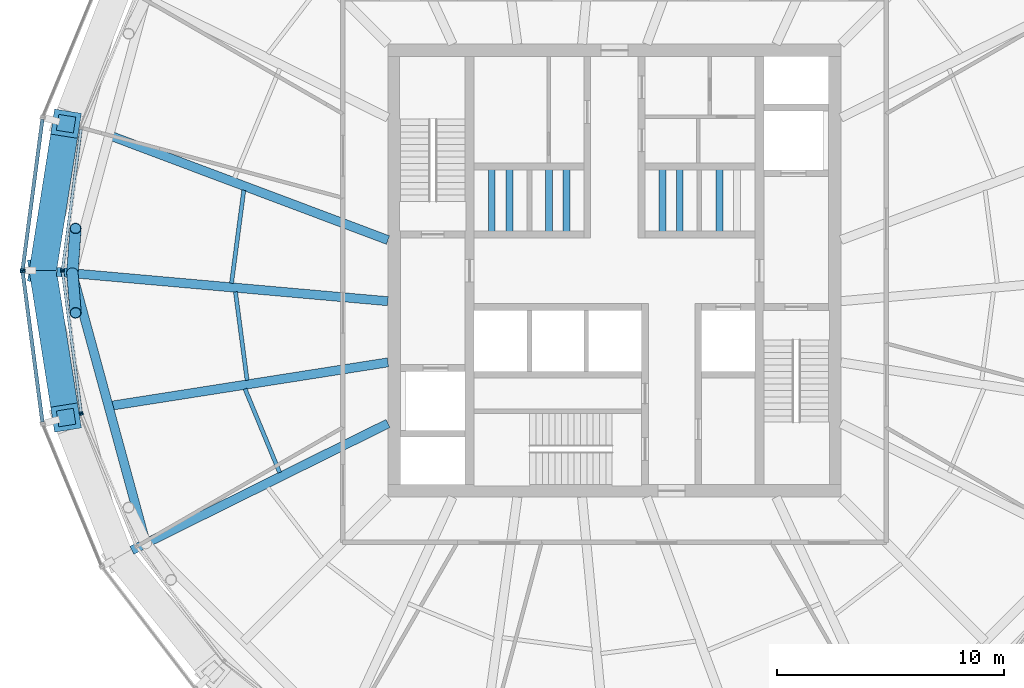
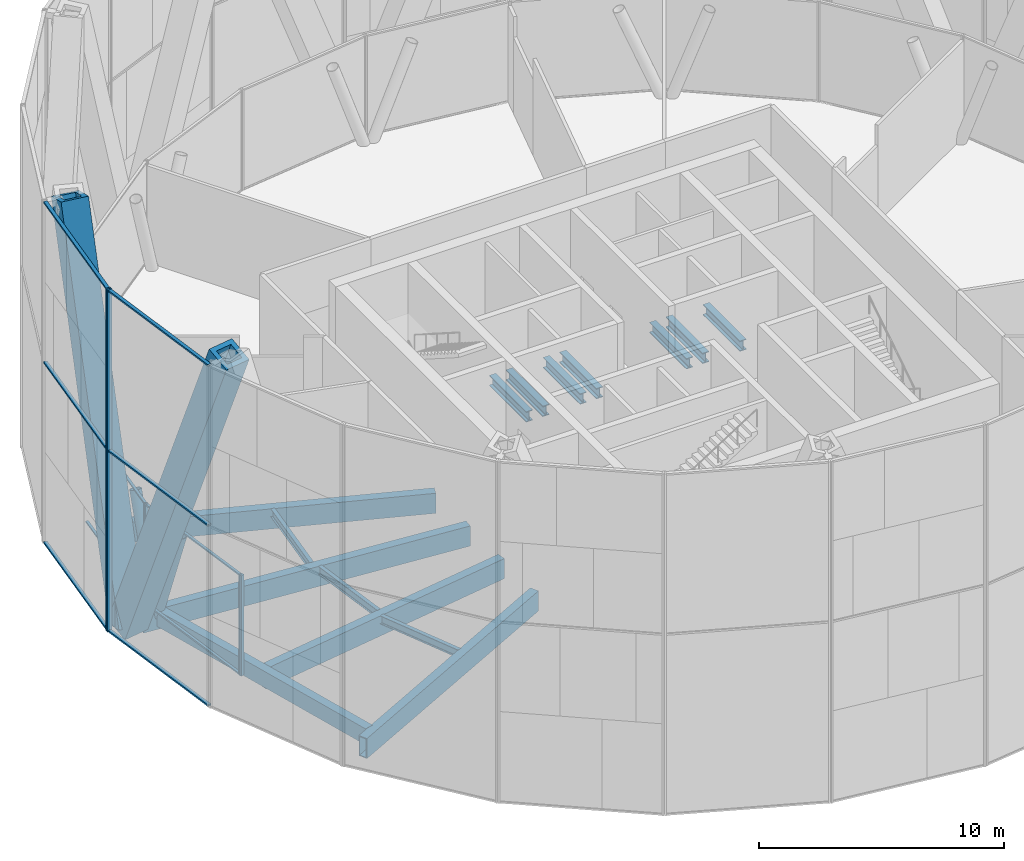
# One storey, part 3 of 17: 20 members, 15 beams, 5 elements without a shape of their own.
"""IFC4 building model written with IfcOpenShell, lengths in metres."""

from ifc_helpers import new_model, si_unit, direction, frame, origin, origin_2d, place, context, subcontext, project, spatial, rectangle, hollow_rectangle, hollow_circle, i_section, extrude, material, material_profile, profile_set, type_object, element, aggregate, save


model = new_model("IFC4")

# Units and contexts
model_context = context("Model", 3, precision=1e-05, world=origin(), true_north=direction((0.0, 1.0)))
body_context = subcontext(model_context, "Body", "Model", "MODEL_VIEW")
ifc_project = project(units=[si_unit("LENGTHUNIT", "METRE"), si_unit("AREAUNIT", "SQUARE_METRE"), si_unit("VOLUMEUNIT", "CUBIC_METRE"), si_unit("PLANEANGLEUNIT", "RADIAN"), si_unit("MASSUNIT", "GRAM", prefix="KILO")], contexts=[model_context])

# Site, building, storey
site_placement = place(None, origin())
site = spatial("IfcSite", under=ifc_project, at=site_placement, CompositionType="ELEMENT")
building_placement = place(site_placement, origin())
building = spatial("IfcBuilding", under=site, at=building_placement, Name="Golbaran Civic Tower", CompositionType="ELEMENT")
storey_placement = place(building_placement, frame((0.0, 0.0, 150.0)))
storey = spatial("IfcBuildingStorey", under=building, at=storey_placement, Name="L36", CompositionType="ELEMENT", Elevation=150.0)

# Members
ifc_material_1 = material(Name="Steel S355", Category="steel")
ifc_material_profile_1 = material_profile(ifc_material_1, hollow_circle(Radius=0.25390625, WallThickness=0.02490234375, at=origin_2d()), Name="CHS 508.0x25")
ifc_profile_set_1 = profile_set([ifc_material_profile_1], Name="Steel S355")
member_type_1 = type_object("IfcMemberType", Name="BELT TRUSS DIAGONAL CHS 508.0x25", PredefinedType="BRACE", material=ifc_profile_set_1)
member_1_placement = place(storey_placement, frame((-23.93115234375, -0.115478515625, -0.60009765625), z_axis=(0.026444993498, -0.330193847384, 0.943542625147), x_axis=(0.996808198845, 0.079833669058, 0.0)))
element("IfcMember", 1, at=member_1_placement, inside=storey, type_object=member_type_1, Name="Belt truss diagonal 180.00R L36", PredefinedType="BRACE", context=body_context, shape_type="SweptSolid", body=[
    extrude(hollow_circle(Radius=0.25390625, WallThickness=0.02490234375, at=origin_2d()), origin(), (0.0, 0.0, 1.0), 5.299072265625),
])
member_2_placement = place(storey_placement, frame((-23.93115234375, -0.115478515625, -0.60009765625), z_axis=(0.026048409373, 0.36817203004, 0.929392724668), x_axis=(-0.997506530157, 0.070574232505, 0.0)))
element("IfcMember", 2, at=member_2_placement, inside=storey, type_object=member_type_1, Name="Belt truss diagonal 180.00L L36", PredefinedType="BRACE", context=body_context, shape_type="SweptSolid", body=[
    extrude(hollow_circle(Radius=0.25390625, WallThickness=0.02490234375, at=origin_2d()), origin(), (0.0, 0.0, 1.0), 5.3798828125),
])
ifc_material_profile_2 = material_profile(ifc_material_1, hollow_rectangle(XDim=1.199951171875, YDim=1.199951171875, WallThickness=0.219970703125, at=origin_2d()), Name="BOX 1200x1200x220")
ifc_profile_set_2 = profile_set([ifc_material_profile_2], Name="Steel S355")
member_type_2 = type_object("IfcMemberType", Name="DIAGRID DIAGONAL BOX 1200x1200x220", PredefinedType="BRACE", material=ifc_profile_set_2)
for number, where, z_axis, x_axis, name in (
    (3, (-25.23388671875, 0.0, -0.7099609375), (0.056237881046, -0.35594104321, 0.932814705337), (0.987747286438, 0.15606184074, 0.0), "Diagonal D08-06R L36-L40"),
    (4, (-25.23388671875, 0.0, -0.7099609375), (0.056237881046, 0.35594104321, 0.932814705337), (-0.987747286438, 0.15606184074, 0.0), "Diagonal D08-06L L36-L40"),
):
    element("IfcMember", number, at=place(storey_placement, frame(where, z_axis=z_axis, x_axis=x_axis)), inside=storey, type_object=member_type_2, Name=name, PredefinedType="BRACE", context=body_context, shape_type="SweptSolid", body=[
        extrude(hollow_rectangle(XDim=1.199951171875, YDim=1.199951171875, WallThickness=0.219970703125, at=origin_2d()), origin(), (0.0, 0.0, 1.0), 18.224365234375),
    ])

# Beams
ifc_material_profile_3 = material_profile(ifc_material_1, hollow_rectangle(XDim=0.39990234375, YDim=0.800048828125, WallThickness=0.0400390625, at=origin_2d()), Name="BOX 800x400x40")
ifc_profile_set_3 = profile_set([ifc_material_profile_3], Name="Steel S355")
beam_type_1 = type_object("IfcBeamType", Name="EDGE BEAM BOX 800x400x40", PredefinedType="BEAM", material=ifc_profile_set_3)
beam_1_placement = place(storey_placement, frame((-23.880859375, -0.300537109375, -0.60009765625), z_axis=(0.262829466132, -0.964842304075, 0.0), x_axis=(0.964842304075, 0.262829466132, 0.0)))
element("IfcBeam", 5, at=beam_1_placement, inside=storey, type_object=beam_type_1, Name="Edge beam 180.00 L36", PredefinedType="BEAM", context=body_context, shape_type="SweptSolid", body=[
    extrude(hollow_rectangle(XDim=0.39990234375, YDim=0.800048828125, WallThickness=0.0400390625, at=origin_2d()), origin(), (0.0, 0.0, 1.0), 11.981689453125),
])
ifc_material_profile_4 = material_profile(ifc_material_1, i_section(OverallWidth=0.179931640625, OverallDepth=0.39990234375, WebThickness=0.008544921875, FlangeThickness=0.013427734375, FilletRadius=0.02099609375, at=origin_2d()), Name="IPE 400")
ifc_profile_set_4 = profile_set([ifc_material_profile_4], Name="Steel S355")
beam_type_2 = type_object("IfcBeamType", Name="FLOOR INFILL BEAM IPE 400", PredefinedType="BEAM", material=ifc_profile_set_4)
beam_2_placement = place(storey_placement, frame((-16.36328125, 3.55029296875, -0.39990234375), z_axis=(-0.130581028899, -0.991437640445, 0.0), x_axis=(0.991437640445, -0.130581028899, 0.0)))
element("IfcBeam", 6, at=beam_2_placement, inside=storey, type_object=beam_type_2, Name="Infill beam 172.50 L36", PredefinedType="BEAM", context=body_context, shape_type="SweptSolid", body=[
    extrude(i_section(OverallWidth=0.179931640625, OverallDepth=0.39990234375, WebThickness=0.008544921875, FlangeThickness=0.013427734375, FilletRadius=0.02099609375, at=origin_2d()), origin(), (0.0, 0.0, 1.0), 4.14306640625),
])
beam_3_placement = place(storey_placement, frame((-16.730712890625, -0.934326171875, -0.39990234375), z_axis=(0.13055704672, -0.991440798813, 0.0), x_axis=(0.991440798813, 0.13055704672, 0.0)))
element("IfcBeam", 7, at=beam_3_placement, inside=storey, type_object=beam_type_2, Name="Infill beam 187.50 L36", PredefinedType="BEAM", context=body_context, shape_type="SweptSolid", body=[
    extrude(i_section(OverallWidth=0.179931640625, OverallDepth=0.39990234375, WebThickness=0.008544921875, FlangeThickness=0.013427734375, FilletRadius=0.02099609375, at=origin_2d()), origin(), (0.0, 0.0, 1.0), 3.94189453125),
])
beam_4_placement = place(storey_placement, frame((-16.308837890625, -5.221435546875, -0.39990234375), z_axis=(0.382693412295, -0.923875398626, 0.0), x_axis=(0.923875398626, 0.382693412295, 0.0)))
element("IfcBeam", 8, at=beam_4_placement, inside=storey, type_object=beam_type_2, Name="Infill beam 202.50 L36", PredefinedType="BEAM", context=body_context, shape_type="SweptSolid", body=[
    extrude(i_section(OverallWidth=0.179931640625, OverallDepth=0.39990234375, WebThickness=0.008544921875, FlangeThickness=0.013427734375, FilletRadius=0.02099609375, at=origin_2d()), origin(), (0.0, 0.0, 1.0), 3.997314453125),
])
ifc_material_profile_5 = material_profile(ifc_material_1, i_section(OverallWidth=0.305908203125, OverallDepth=0.52392578125, WebThickness=0.02099609375, FlangeThickness=0.0400390625, FilletRadius=0.027099609375, at=origin_2d()), Name="HEM 500")
ifc_profile_set_5 = profile_set([ifc_material_profile_5], Name="Steel S355")
beam_type_3 = type_object("IfcBeamType", Name="LIFT PIT BEAM HEM 500", PredefinedType="BEAM", material=ifc_profile_set_5)
for number, where, z_axis, x_axis, name in (
    (9, (-5.416748046875, 1.60009765625, 1.738037109375), (0.0, 1.0, 0.0), (-1.0, 0.0, 0.0), "Lift pit beam Z1H 1"),
    (10, (-4.63330078125, 1.60009765625, 1.738037109375), (0.0, 1.0, 0.0), (-1.0, 0.0, 0.0), "Lift pit beam Z1H 2"),
    (11, (-2.88330078125, 1.60009765625, 1.738037109375), (0.0, 1.0, 0.0), (-1.0, 0.0, 0.0), "Lift pit beam Z2H 1"),
    (12, (-2.11669921875, 1.60009765625, 1.738037109375), (0.0, 1.0, 0.0), (-1.0, 0.0, 0.0), "Lift pit beam Z2H 2"),
    (13, (2.11669921875, 1.60009765625, 1.738037109375), (0.0, 1.0, 0.0), (-1.0, 0.0, 0.0), "Lift pit beam Z3H 1"),
    (14, (2.88330078125, 1.60009765625, 1.738037109375), (0.0, 1.0, 0.0), (-1.0, 0.0, 0.0), "Lift pit beam Z3H 2"),
    (15, (4.63330078125, 1.60009765625, 1.738037109375), (0.0, 1.0, 0.0), (-1.0, 0.0, 0.0), "Lift pit beam Z4H 1"),
):
    element("IfcBeam", number, at=place(storey_placement, frame(where, z_axis=z_axis, x_axis=x_axis)), inside=storey, type_object=beam_type_3, Name=name, PredefinedType="BEAM", context=body_context, shape_type="SweptSolid", body=[
        extrude(i_section(OverallWidth=0.305908203125, OverallDepth=0.52392578125, WebThickness=0.02099609375, FlangeThickness=0.0400390625, FilletRadius=0.027099609375, at=origin_2d()), origin(), (0.0, 0.0, 1.0), 3.0),
    ])

# Curtain wall, member
ifc_material_2 = material(Name="Aluminium and glass", Category="aluminium")
curtain_wall_type_1 = type_object("IfcCurtainWallType", Name="OUTER SKIN TERRACOTTA SCREEN", PredefinedType="NOTDEFINED", material=ifc_material_2)
curtain_wall_1_placement = place(storey_placement, origin())
curtain_wall_1 = element("IfcCurtainWall", 16, at=curtain_wall_1_placement, inside=storey, type_object=curtain_wall_type_1, Name="Outer skin L36 facet 12 CW3", ObjectType="OUTER SKIN", PredefinedType="USERDEFINED")
ifc_material_3 = material(Name="Aluminium", Category="aluminium")
ifc_material_profile_6 = material_profile(ifc_material_3, rectangle(XDim=0.219970703125, YDim=0.080078125, at=origin_2d()), Name="OUTER SKIN TERRACOTTA SCREEN MULLION")
ifc_profile_set_6 = profile_set([ifc_material_profile_6], Name="Aluminium")
member_type_3 = type_object("IfcMemberType", Name="OUTER SKIN TERRACOTTA SCREEN MULLION", PredefinedType="MULLION", material=ifc_profile_set_6)
member_3_placement = place(storey_placement, frame((-26.128662109375, 0.03955078125, -0.7099609375), z_axis=(0.0, 0.0, 1.0), x_axis=(0.991444861369, -0.130526192255, 0.0)))
member_3 = element("IfcMember", 17, at=member_3_placement, type_object=member_type_3, Name="CW3 mullion 2", PredefinedType="MULLION", context=body_context, shape_type="SweptSolid", body=[
    extrude(rectangle(XDim=0.219970703125, YDim=0.080078125, at=origin_2d()), origin(), (0.0, 0.0, 1.0), 17.0),
])

curtain_wall_2_placement = place(storey_placement, origin())
curtain_wall_2 = element("IfcCurtainWall", 18, at=curtain_wall_2_placement, inside=storey, type_object=curtain_wall_type_1, Name="Outer skin L36 facet 13 CW3", ObjectType="OUTER SKIN", PredefinedType="USERDEFINED")
member_4_placement = place(storey_placement, frame((-26.128662109375, -0.03955078125, -0.7099609375), z_axis=(0.0, 0.0, 1.0), x_axis=(0.991444861369, 0.130526192255, 0.0)))
member_4 = element("IfcMember", 19, at=member_4_placement, type_object=member_type_3, Name="CW3 mullion 1", PredefinedType="MULLION", context=body_context, shape_type="SweptSolid", body=[
    extrude(rectangle(XDim=0.219970703125, YDim=0.080078125, at=origin_2d()), origin(), (0.0, 0.0, 1.0), 17.0),
])

# Member
ifc_material_profile_7 = material_profile(ifc_material_3, rectangle(XDim=0.159912109375, YDim=0.080078125, at=origin_2d()), Name="OUTER SKIN TERRACOTTA SCREEN TRANSOM")
ifc_profile_set_7 = profile_set([ifc_material_profile_7], Name="Aluminium")
member_type_4 = type_object("IfcMemberType", Name="OUTER SKIN TERRACOTTA SCREEN TRANSOM", PredefinedType="USERDEFINED", material=ifc_profile_set_7)
member_5_placement = place(storey_placement, frame((-25.25390625, 6.6845703125, -0.669921875), z_axis=(-0.130531295618, -0.991444189485, 0.0), x_axis=(0.991444189485, -0.130531295618, 0.0)))
member_5 = element("IfcMember", 20, at=member_5_placement, type_object=member_type_4, Name="CW3 transom 1.1", ObjectType="TRANSOM", PredefinedType="USERDEFINED", context=body_context, shape_type="SweptSolid", body=[
    extrude(rectangle(XDim=0.159912109375, YDim=0.080078125, at=origin_2d()), origin(), (0.0, 0.0, 1.0), 6.662109375),
])

member_6_placement = place(storey_placement, frame((-25.25390625, 6.6845703125, 8.2900390625), z_axis=(-0.130531295618, -0.991444189485, 0.0), x_axis=(0.991444189485, -0.130531295618, 0.0)))
member_6 = element("IfcMember", 21, at=member_6_placement, type_object=member_type_4, Name="CW3 transom 1.2", ObjectType="TRANSOM", PredefinedType="USERDEFINED", context=body_context, shape_type="SweptSolid", body=[
    extrude(rectangle(XDim=0.159912109375, YDim=0.080078125, at=origin_2d()), origin(), (0.0, 0.0, 1.0), 6.662109375),
])

member_7_placement = place(storey_placement, frame((-25.25390625, 6.6845703125, 16.25), z_axis=(-0.130531295618, -0.991444189485, 0.0), x_axis=(0.991444189485, -0.130531295618, 0.0)))
member_7 = element("IfcMember", 22, at=member_7_placement, type_object=member_type_4, Name="CW3 transom 1.3", ObjectType="TRANSOM", PredefinedType="USERDEFINED", context=body_context, shape_type="SweptSolid", body=[
    extrude(rectangle(XDim=0.159912109375, YDim=0.080078125, at=origin_2d()), origin(), (0.0, 0.0, 1.0), 6.662109375),
])

aggregate(curtain_wall_1, [member_3, member_5, member_6, member_7])

member_8_placement = place(storey_placement, frame((-26.12353515625, -0.079345703125, -0.669921875), z_axis=(0.130531295618, -0.991444189485, 0.0), x_axis=(0.991444189485, 0.130531295618, 0.0)))
member_8 = element("IfcMember", 23, at=member_8_placement, type_object=member_type_4, Name="CW3 transom 1.1", ObjectType="TRANSOM", PredefinedType="USERDEFINED", context=body_context, shape_type="SweptSolid", body=[
    extrude(rectangle(XDim=0.159912109375, YDim=0.080078125, at=origin_2d()), origin(), (0.0, 0.0, 1.0), 6.662109375),
])

member_9_placement = place(storey_placement, frame((-26.12353515625, -0.079345703125, 8.2900390625), z_axis=(0.130531295618, -0.991444189485, 0.0), x_axis=(0.991444189485, 0.130531295618, 0.0)))
member_9 = element("IfcMember", 24, at=member_9_placement, type_object=member_type_4, Name="CW3 transom 1.2", ObjectType="TRANSOM", PredefinedType="USERDEFINED", context=body_context, shape_type="SweptSolid", body=[
    extrude(rectangle(XDim=0.159912109375, YDim=0.080078125, at=origin_2d()), origin(), (0.0, 0.0, 1.0), 6.662109375),
])

member_10_placement = place(storey_placement, frame((-26.12353515625, -0.079345703125, 16.25), z_axis=(0.130531295618, -0.991444189485, 0.0), x_axis=(0.991444189485, 0.130531295618, 0.0)))
member_10 = element("IfcMember", 25, at=member_10_placement, type_object=member_type_4, Name="CW3 transom 1.3", ObjectType="TRANSOM", PredefinedType="USERDEFINED", context=body_context, shape_type="SweptSolid", body=[
    extrude(rectangle(XDim=0.159912109375, YDim=0.080078125, at=origin_2d()), origin(), (0.0, 0.0, 1.0), 6.662109375),
])

aggregate(curtain_wall_2, [member_4, member_8, member_9, member_10])

# Curtain wall, member
curtain_wall_type_2 = type_object("IfcCurtainWallType", Name="PLANT FLOOR LOUVRE WALL", PredefinedType="NOTDEFINED", material=ifc_material_2)
curtain_wall_3_placement = place(storey_placement, origin())
curtain_wall_3 = element("IfcCurtainWall", 26, at=curtain_wall_3_placement, inside=storey, type_object=curtain_wall_type_2, Name="Inner skin L36 facet 12 CW6", ObjectType="PLANT LOUVRE WALL", PredefinedType="USERDEFINED")
ifc_material_profile_8 = material_profile(ifc_material_3, rectangle(XDim=0.159912109375, YDim=0.070068359375, at=origin_2d()), Name="PLANT FLOOR LOUVRE WALL MULLION")
ifc_profile_set_8 = profile_set([ifc_material_profile_8], Name="Aluminium")
member_type_5 = type_object("IfcMemberType", Name="PLANT FLOOR LOUVRE WALL MULLION", PredefinedType="MULLION", material=ifc_profile_set_8)
member_11_placement = place(storey_placement, frame((-24.365478515625, 0.03466796875, 0.0), z_axis=(0.0, 0.0, 1.0), x_axis=(0.991444861381, -0.130526192168, 0.0)))
member_11 = element("IfcMember", 27, at=member_11_placement, type_object=member_type_5, Name="CW6 mullion 2", PredefinedType="MULLION", context=body_context, shape_type="SweptSolid", body=[
    extrude(rectangle(XDim=0.159912109375, YDim=0.070068359375, at=origin_2d()), origin(), (0.0, 0.0, 1.0), 5.0),
])

# Curtain wall, members
curtain_wall_4_placement = place(storey_placement, origin())
curtain_wall_4 = element("IfcCurtainWall", 28, at=curtain_wall_4_placement, inside=storey, type_object=curtain_wall_type_2, Name="Inner skin L36 facet 13 CW6", ObjectType="PLANT LOUVRE WALL", PredefinedType="USERDEFINED")
member_12_placement = place(storey_placement, frame((-24.365478515625, -0.03466796875, 0.0), z_axis=(0.0, 0.0, 1.0), x_axis=(0.991444861381, 0.130526192168, 0.0)))
member_12 = element("IfcMember", 29, at=member_12_placement, type_object=member_type_5, Name="CW6 mullion 1", PredefinedType="MULLION", context=body_context, shape_type="SweptSolid", body=[
    extrude(rectangle(XDim=0.159912109375, YDim=0.070068359375, at=origin_2d()), origin(), (0.0, 0.0, 1.0), 5.0),
])
member_13_placement = place(storey_placement, frame((-23.544189453125, -6.272705078125, 0.0), z_axis=(0.0, 0.0, 1.0), x_axis=(0.991444861381, 0.130526192168, 0.0)))
member_13 = element("IfcMember", 30, at=member_13_placement, type_object=member_type_5, Name="CW6 mullion 2", PredefinedType="MULLION", context=body_context, shape_type="SweptSolid", body=[
    extrude(rectangle(XDim=0.159912109375, YDim=0.070068359375, at=origin_2d()), origin(), (0.0, 0.0, 1.0), 5.0),
])

# Curtain wall, member
curtain_wall_5_placement = place(storey_placement, origin())
curtain_wall_5 = element("IfcCurtainWall", 31, at=curtain_wall_5_placement, inside=storey, type_object=curtain_wall_type_2, Name="Inner skin L36 facet 14 CW6", ObjectType="PLANT LOUVRE WALL", PredefinedType="USERDEFINED")
member_14_placement = place(storey_placement, frame((-23.526123046875, -6.33984375, 0.0), z_axis=(0.0, 0.0, 1.0), x_axis=(0.923879532485, 0.38268343243, 0.0)))
member_14 = element("IfcMember", 32, at=member_14_placement, type_object=member_type_5, Name="CW6 mullion 1", PredefinedType="MULLION", context=body_context, shape_type="SweptSolid", body=[
    extrude(rectangle(XDim=0.159912109375, YDim=0.070068359375, at=origin_2d()), origin(), (0.0, 0.0, 1.0), 5.0),
])
aggregate(curtain_wall_5, [member_14])

# Member
ifc_material_profile_9 = material_profile(ifc_material_3, rectangle(XDim=0.1201171875, YDim=0.070068359375, at=origin_2d()), Name="PLANT FLOOR LOUVRE WALL TRANSOM")
ifc_profile_set_9 = profile_set([ifc_material_profile_9], Name="Aluminium")
member_type_6 = type_object("IfcMemberType", Name="PLANT FLOOR LOUVRE WALL TRANSOM", PredefinedType="USERDEFINED", material=ifc_profile_set_9)
member_15_placement = place(storey_placement, frame((-23.548828125, 6.238037109375, 0.034912109375), z_axis=(-0.130508308826, -0.991447215603, 0.0), x_axis=(0.991447215603, -0.130508308826, 0.0)))
member_15 = element("IfcMember", 33, at=member_15_placement, type_object=member_type_6, Name="CW6 transom 1.1", ObjectType="TRANSOM", PredefinedType="USERDEFINED", context=body_context, shape_type="SweptSolid", body=[
    extrude(rectangle(XDim=0.1201171875, YDim=0.070068359375, at=origin_2d()), origin(), (0.0, 0.0, 1.0), 6.221923828125),
])

member_16_placement = place(storey_placement, frame((-23.548828125, 6.238037109375, 4.965087890625), z_axis=(-0.130508308826, -0.991447215603, 0.0), x_axis=(0.991447215603, -0.130508308826, 0.0)))
member_16 = element("IfcMember", 34, at=member_16_placement, type_object=member_type_6, Name="CW6 transom 1.2", ObjectType="TRANSOM", PredefinedType="USERDEFINED", context=body_context, shape_type="SweptSolid", body=[
    extrude(rectangle(XDim=0.1201171875, YDim=0.070068359375, at=origin_2d()), origin(), (0.0, 0.0, 1.0), 6.221923828125),
])

aggregate(curtain_wall_3, [member_11, member_15, member_16])

member_17_placement = place(storey_placement, frame((-24.36083984375, -0.0693359375, 0.034912109375), z_axis=(0.130508308826, -0.991447215603, 0.0), x_axis=(0.991447215603, 0.130508308826, 0.0)))
member_17 = element("IfcMember", 35, at=member_17_placement, type_object=member_type_6, Name="CW6 transom 1.1", ObjectType="TRANSOM", PredefinedType="USERDEFINED", context=body_context, shape_type="SweptSolid", body=[
    extrude(rectangle(XDim=0.1201171875, YDim=0.070068359375, at=origin_2d()), origin(), (0.0, 0.0, 1.0), 6.221923828125),
])

member_18_placement = place(storey_placement, frame((-24.36083984375, -0.0693359375, 4.965087890625), z_axis=(0.130508308826, -0.991447215603, 0.0), x_axis=(0.991447215603, 0.130508308826, 0.0)))
member_18 = element("IfcMember", 36, at=member_18_placement, type_object=member_type_6, Name="CW6 transom 1.2", ObjectType="TRANSOM", PredefinedType="USERDEFINED", context=body_context, shape_type="SweptSolid", body=[
    extrude(rectangle(XDim=0.1201171875, YDim=0.070068359375, at=origin_2d()), origin(), (0.0, 0.0, 1.0), 6.221923828125),
])

aggregate(curtain_wall_4, [member_12, member_13, member_17, member_18])

# Beams
ifc_material_profile_10 = material_profile(ifc_material_1, hollow_rectangle(XDim=0.39990234375, YDim=1.0, WallThickness=0.0400390625, at=origin_2d()), Name="BOX 1000x400x40")
ifc_profile_set_10 = profile_set([ifc_material_profile_10], Name="Steel S355")
beam_type_4 = type_object("IfcBeamType", Name="RADIAL FLOOR BEAM BOX 1000x400x40", PredefinedType="BEAM", material=ifc_profile_set_10)
beam_5_placement = place(storey_placement, frame((-10.0, -1.35009765625, -0.7099609375), z_axis=(-0.99609640573, 0.088272025533, 0.0), x_axis=(-0.088272025533, -0.99609640573, 0.0)))
element("IfcBeam", 37, at=beam_5_placement, inside=storey, type_object=beam_type_4, Name="Radial beam 180.00 L36", PredefinedType="BEAM", context=body_context, shape_type="SweptSolid", body=[
    extrude(hollow_rectangle(XDim=0.39990234375, YDim=1.0, WallThickness=0.0400390625, at=origin_2d()), origin(), (0.0, 0.0, 1.0), 14.67529296875),
])
beam_6_placement = place(storey_placement, frame((-10.0, -6.75, -0.7099609375), z_axis=(-0.896224207854, -0.443601363001, 0.0), x_axis=(0.443601363001, -0.896224207854, 0.0)))
element("IfcBeam", 38, at=beam_6_placement, inside=storey, type_object=beam_type_4, Name="Radial beam 210.00 L36", PredefinedType="BEAM", context=body_context, shape_type="SweptSolid", body=[
    extrude(hollow_rectangle(XDim=0.39990234375, YDim=1.0, WallThickness=0.0400390625, at=origin_2d()), origin(), (0.0, 0.0, 1.0), 12.61083984375),
])
ifc_material_profile_11 = material_profile(ifc_material_1, hollow_rectangle(XDim=0.39990234375, YDim=1.0, WallThickness=0.0400390625, at=origin_2d()), Name="BOX 1000x400x40")
ifc_profile_set_11 = profile_set([ifc_material_profile_11], Name="Steel S355")
beam_type_5 = type_object("IfcBeamType", Name="SECONDARY FLOOR BEAM BOX 1000x400x40", PredefinedType="BEAM", material=ifc_profile_set_11)
beam_7_placement = place(storey_placement, frame((-10.0, 1.35009765625, -0.7099609375), z_axis=(-0.936024266686, 0.351935465923, 0.0), x_axis=(-0.351935465923, -0.936024266686, 0.0)))
element("IfcBeam", 39, at=beam_7_placement, inside=storey, type_object=beam_type_5, Name="Secondary beam 165.00 L36", PredefinedType="BEAM", context=body_context, shape_type="SweptSolid", body=[
    extrude(hollow_rectangle(XDim=0.39990234375, YDim=1.0, WallThickness=0.0400390625, at=origin_2d()), origin(), (0.0, 0.0, 1.0), 13.144287109375),
])
beam_8_placement = place(storey_placement, frame((-10.0, -4.050048828125, -0.7099609375), z_axis=(-0.987927802977, -0.154914996385, 0.0), x_axis=(0.154914996385, -0.987927802977, 0.0)))
element("IfcBeam", 40, at=beam_8_placement, inside=storey, type_object=beam_type_5, Name="Secondary beam 195.00 L36", PredefinedType="BEAM", context=body_context, shape_type="SweptSolid", body=[
    extrude(hollow_rectangle(XDim=0.39990234375, YDim=1.0, WallThickness=0.0400390625, at=origin_2d()), origin(), (0.0, 0.0, 1.0), 12.483154296875),
])

save(model, "model.ifc")
